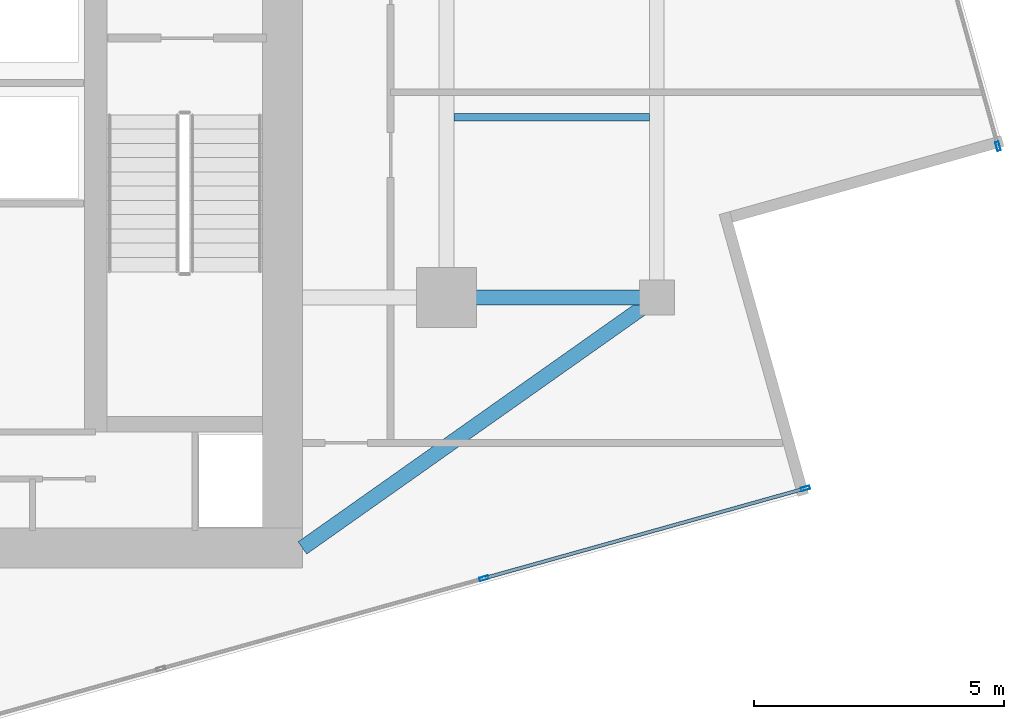
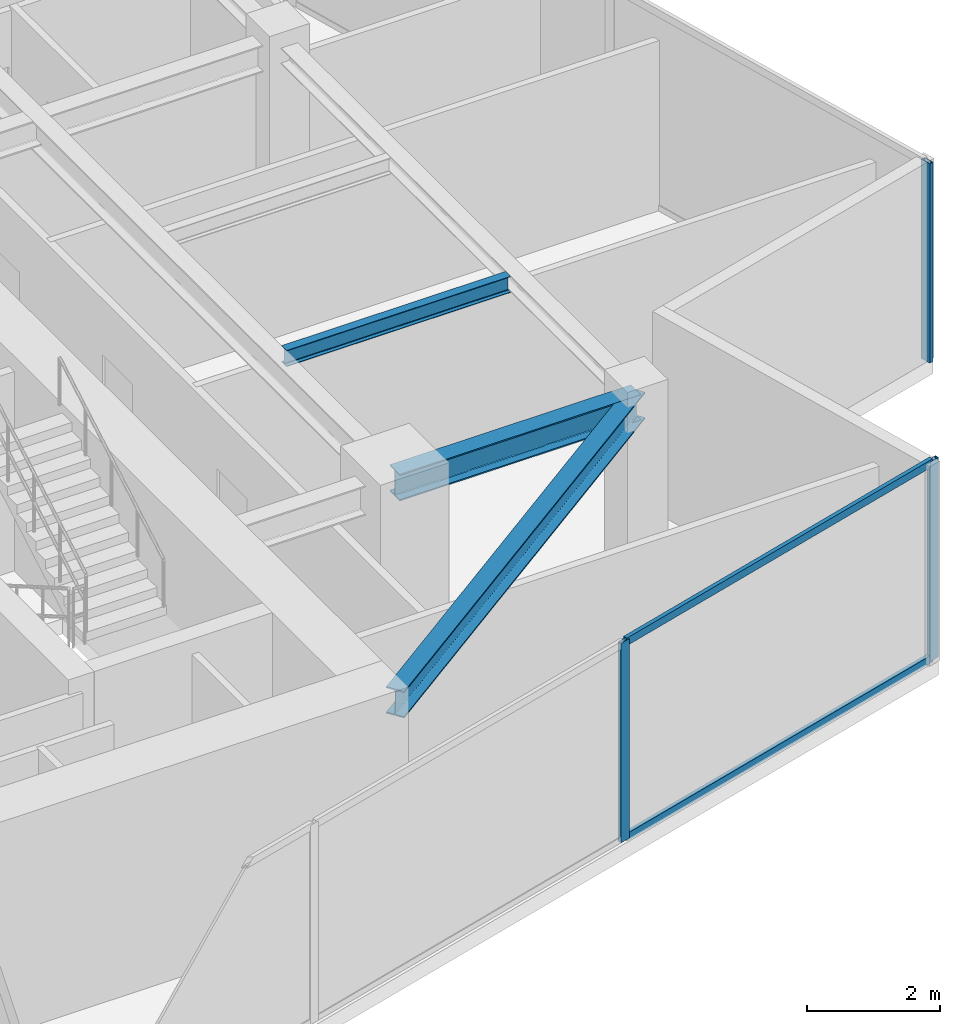
# One storey, part 9 of 21: 5 members, 3 beams, 2 elements without a shape of their own.
"""IFC4 building model written with IfcOpenShell, lengths in metres."""

from ifc_helpers import new_model, si_unit, direction, frame, origin, origin_2d, place, context, subcontext, project, spatial, hollow_rectangle, i_section, extrude, source, transform, mapped, material, material_profile, profile_set, type_object, type_shapes, element, aggregate, save


model = new_model("IFC4")

# Units and contexts
model_context = context("Model", 3, precision=1e-05, world=origin(), true_north=direction((0.0, 1.0)))
body_context = subcontext(model_context, "Body", "Model", "MODEL_VIEW")
ifc_project = project(units=[si_unit("LENGTHUNIT", "METRE"), si_unit("AREAUNIT", "SQUARE_METRE"), si_unit("VOLUMEUNIT", "CUBIC_METRE"), si_unit("PLANEANGLEUNIT", "RADIAN"), si_unit("MASSUNIT", "GRAM", prefix="KILO")], contexts=[model_context])

# Site, building, storey
site_placement = place(None, origin())
site = spatial("IfcSite", under=ifc_project, at=site_placement, CompositionType="ELEMENT")
building_placement = place(site_placement, origin())
building = spatial("IfcBuilding", under=site, at=building_placement, Name="Krantzveldt Concourse Tower", CompositionType="ELEMENT")
storey_placement = place(building_placement, frame((0.0, 0.0, 347.449951171875)))
storey = spatial("IfcBuildingStorey", under=building, at=storey_placement, Name="L85", CompositionType="ELEMENT", Elevation=347.449951171875)

# Beams
ifc_material_1 = material(Name="Steel S355JR", Category="steel")
ifc_material_profile_1 = material_profile(ifc_material_1, i_section(OverallWidth=0.300048828125, OverallDepth=0.489990234375, WebThickness=0.011962890625, FlangeThickness=0.02294921875, FilletRadius=0.027099609375, at=origin_2d()), Name="Steel S355JR", Category="steel")
ifc_profile_set_1 = profile_set([ifc_material_profile_1], Name="Steel S355JR - HEA 500")
beam_type_1 = type_object("IfcBeamType", Name="BM-B-HEA500", PredefinedType="BEAM", material=ifc_profile_set_1)
shared_shape_1 = source(origin(), body_context, "Body", "SweptSolid", [
    extrude(i_section(OverallWidth=0.300048828125, OverallDepth=0.489990234375, WebThickness=0.011962890625, FlangeThickness=0.02294921875, FilletRadius=0.027099609375, at=origin_2d()), origin(), (0.0, 0.0, 1.0), 4.199951171875),
])
beam_1_placement = place(storey_placement, frame((46.800048828125, 15.89990234375, 3.425048828125), z_axis=(1.0, 0.0, 0.0), x_axis=(0.0, 1.0, 0.0)))
element("IfcBeam", 1, at=beam_1_placement, inside=storey, type_object=beam_type_1, Name="L85 Tower Girder BR-RR1", PredefinedType="BEAM", context=body_context, shape_type="MappedRepresentation", body=[
    mapped(shared_shape_1, transform((0.0, 0.0, 0.0), x_axis=(1.0, 0.0, 0.0), y_axis=(0.0, 1.0, 0.0), z_axis=(0.0, 0.0, 1.0), scale=1.0)),
])
shared_shape_2 = source(origin(), body_context, "Body", "SweptSolid", [
    extrude(i_section(OverallWidth=0.300048828125, OverallDepth=0.489990234375, WebThickness=0.011962890625, FlangeThickness=0.02294921875, FilletRadius=0.027099609375, at=origin_2d()), origin(), (0.0, 0.0, 1.0), 8.667724609375),
])
type_shapes(beam_type_1, [shared_shape_1, shared_shape_2])
beam_2_placement = place(storey_placement, frame((51.0, 15.89990234375, 3.425048828125), z_axis=(-0.81684294656, -0.576860122261, 0.0), x_axis=(0.576860122261, -0.81684294656, 0.0)))
element("IfcBeam", 2, at=beam_2_placement, inside=storey, type_object=beam_type_1, Name="L85 Tower Girder BR-CSE", PredefinedType="BEAM", context=body_context, shape_type="MappedRepresentation", body=[
    mapped(shared_shape_2, transform((0.0, 0.0, 0.0), x_axis=(1.0, 0.0, 0.0), y_axis=(0.0, 1.0, 0.0), z_axis=(0.0, 0.0, 1.0), scale=1.0)),
])
ifc_material_profile_2 = material_profile(ifc_material_1, i_section(OverallWidth=0.14990234375, OverallDepth=0.300048828125, WebThickness=0.007080078125, FlangeThickness=0.0107421875, FilletRadius=0.014892578125, at=origin_2d()), Name="Steel S355JR", Category="steel")
ifc_profile_set_2 = profile_set([ifc_material_profile_2], Name="Steel S355JR - IPE 300")
beam_type_2 = type_object("IfcBeamType", Name="BM-J-IPE300", PredefinedType="JOIST", material=ifc_profile_set_2)
shared_shape_3 = source(origin(), body_context, "Body", "SweptSolid", [
    extrude(i_section(OverallWidth=0.14990234375, OverallDepth=0.300048828125, WebThickness=0.007080078125, FlangeThickness=0.0107421875, FilletRadius=0.014892578125, at=origin_2d()), origin(), (0.0, 0.0, 1.0), 3.900146484375),
])
type_shapes(beam_type_2, [shared_shape_3])
beam_3_placement = place(storey_placement, frame((46.949951171875, 19.5, 3.52001953125), z_axis=(1.0, 0.0, 0.0), x_axis=(0.0, 1.0, 0.0)))
element("IfcBeam", 3, at=beam_3_placement, inside=storey, type_object=beam_type_2, Name="L85 Secondary Floor Joist JE-1", PredefinedType="JOIST", context=body_context, shape_type="MappedRepresentation", body=[
    mapped(shared_shape_3, transform((0.0, 0.0, 0.0), x_axis=(1.0, 0.0, 0.0), y_axis=(0.0, 1.0, 0.0), z_axis=(0.0, 0.0, 1.0), scale=1.0)),
])

# Curtain wall, members
ifc_material_2 = material(Name="Anodised aluminium 6063-T6", Category="aluminium")
curtain_wall_type = type_object("IfcCurtainWallType", Name="CW4", PredefinedType="USERDEFINED", material=ifc_material_2)
curtain_wall_1_placement = place(storey_placement, origin())
curtain_wall_1 = element("IfcCurtainWall", 4, at=curtain_wall_1_placement, inside=storey, type_object=curtain_wall_type, Name="CW-L85-F07", ObjectType="UNITISED CURTAIN WALL", PredefinedType="USERDEFINED")
ifc_material_profile_3 = material_profile(ifc_material_2, hollow_rectangle(XDim=0.070068359375, YDim=0.179931640625, WallThickness=0.0048828125, at=origin_2d()), Name="Anodised aluminium 6063-T6", Category="aluminium")
ifc_profile_set_3 = profile_set([ifc_material_profile_3], Name="Anodised aluminium 6063-T6 - ALU-MULL 180x70x5")
member_type_1 = type_object("IfcMemberType", Name="CW-MUL-180", PredefinedType="MULLION", material=ifc_profile_set_3)
shared_shape_4 = source(origin(), body_context, "Body", "SweptSolid", [
    extrude(hollow_rectangle(XDim=0.070068359375, YDim=0.179931640625, WallThickness=0.0048828125, at=origin_2d()), origin(), (0.0, 0.0, 1.0), 3.670166015625),
])
type_shapes(member_type_1, [shared_shape_4])
member_1_placement = place(storey_placement, frame((47.545654296875, 10.29345703125, 0.0), z_axis=(0.0, 0.0, 1.0), x_axis=(-0.269339931454, 0.963045170968, 0.0)))
member_1 = element("IfcMember", 5, at=member_1_placement, type_object=member_type_1, Name="CW-Z56 mullion 4", PredefinedType="MULLION", context=body_context, shape_type="MappedRepresentation", body=[
    mapped(shared_shape_4, transform((0.0, 0.0, 0.0), x_axis=(1.0, 0.0, 0.0), y_axis=(0.0, 1.0, 0.0), z_axis=(0.0, 0.0, 1.0), scale=1.0)),
])
member_2_placement = place(storey_placement, frame((53.96435546875, 12.088623046875, 0.0), z_axis=(0.0, 0.0, 1.0), x_axis=(-0.269339931454, 0.963045170968, 0.0)))
member_2 = element("IfcMember", 6, at=member_2_placement, type_object=member_type_1, Name="CW-Z56 mullion 5", PredefinedType="MULLION", context=body_context, shape_type="MappedRepresentation", body=[
    mapped(shared_shape_4, transform((0.0, 0.0, 0.0), x_axis=(1.0, 0.0, 0.0), y_axis=(0.0, 1.0, 0.0), z_axis=(0.0, 0.0, 1.0), scale=1.0)),
])

# Curtain wall, member
curtain_wall_2_placement = place(storey_placement, origin())
curtain_wall_2 = element("IfcCurtainWall", 7, at=curtain_wall_2_placement, inside=storey, type_object=curtain_wall_type, Name="CW-L85-F10", ObjectType="UNITISED CURTAIN WALL", PredefinedType="USERDEFINED")
member_3_placement = place(storey_placement, frame((57.81103515625, 18.922119140625, 0.0), z_axis=(0.0, 0.0, 1.0), x_axis=(-0.963045170968, -0.269339931454, 0.0)))
member_3 = element("IfcMember", 8, at=member_3_placement, type_object=member_type_1, Name="CW-Z56 mullion 1", PredefinedType="MULLION", context=body_context, shape_type="MappedRepresentation", body=[
    mapped(shared_shape_4, transform((0.0, 0.0, 0.0), x_axis=(1.0, 0.0, 0.0), y_axis=(0.0, 1.0, 0.0), z_axis=(0.0, 0.0, 1.0), scale=1.0)),
])
aggregate(curtain_wall_2, [member_3])

# Member
ifc_material_profile_4 = material_profile(ifc_material_2, hollow_rectangle(XDim=0.070068359375, YDim=0.139892578125, WallThickness=0.0048828125, at=origin_2d()), Name="Anodised aluminium 6063-T6", Category="aluminium")
ifc_profile_set_4 = profile_set([ifc_material_profile_4], Name="Anodised aluminium 6063-T6 - ALU-TRAN 140x70x5")
member_type_2 = type_object("IfcMemberType", Name="CW-TRN-150", PredefinedType="USERDEFINED", material=ifc_profile_set_4)
shared_shape_5 = source(origin(), body_context, "Body", "SweptSolid", [
    extrude(hollow_rectangle(XDim=0.070068359375, YDim=0.139892578125, WallThickness=0.0048828125, at=origin_2d()), origin(), (0.0, 0.0, 1.0), 6.594970703125),
])
type_shapes(member_type_2, [shared_shape_5])
member_4_placement = place(storey_placement, frame((47.579345703125, 10.302734375, 0.03515625), z_axis=(0.963042794459, 0.269348428694, 0.0), x_axis=(-0.269348428694, 0.963042794459, 0.0)))
member_4 = element("IfcMember", 9, at=member_4_placement, type_object=member_type_2, Name="CW-Z56 transom 4.1", ObjectType="TRANSOM", PredefinedType="USERDEFINED", context=body_context, shape_type="MappedRepresentation", body=[
    mapped(shared_shape_5, transform((0.0, 0.0, 0.0), x_axis=(1.0, 0.0, 0.0), y_axis=(0.0, 1.0, 0.0), z_axis=(0.0, 0.0, 1.0), scale=1.0)),
])

member_5_placement = place(storey_placement, frame((47.579345703125, 10.302734375, 3.635009765625), z_axis=(0.963042794459, 0.269348428694, 0.0), x_axis=(-0.269348428694, 0.963042794459, 0.0)))
member_5 = element("IfcMember", 10, at=member_5_placement, type_object=member_type_2, Name="CW-Z56 transom 4.2", ObjectType="TRANSOM", PredefinedType="USERDEFINED", context=body_context, shape_type="MappedRepresentation", body=[
    mapped(shared_shape_5, transform((0.0, 0.0, 0.0), x_axis=(1.0, 0.0, 0.0), y_axis=(0.0, 1.0, 0.0), z_axis=(0.0, 0.0, 1.0), scale=1.0)),
])

aggregate(curtain_wall_1, [member_1, member_2, member_4, member_5])

save(model, "model.ifc")
